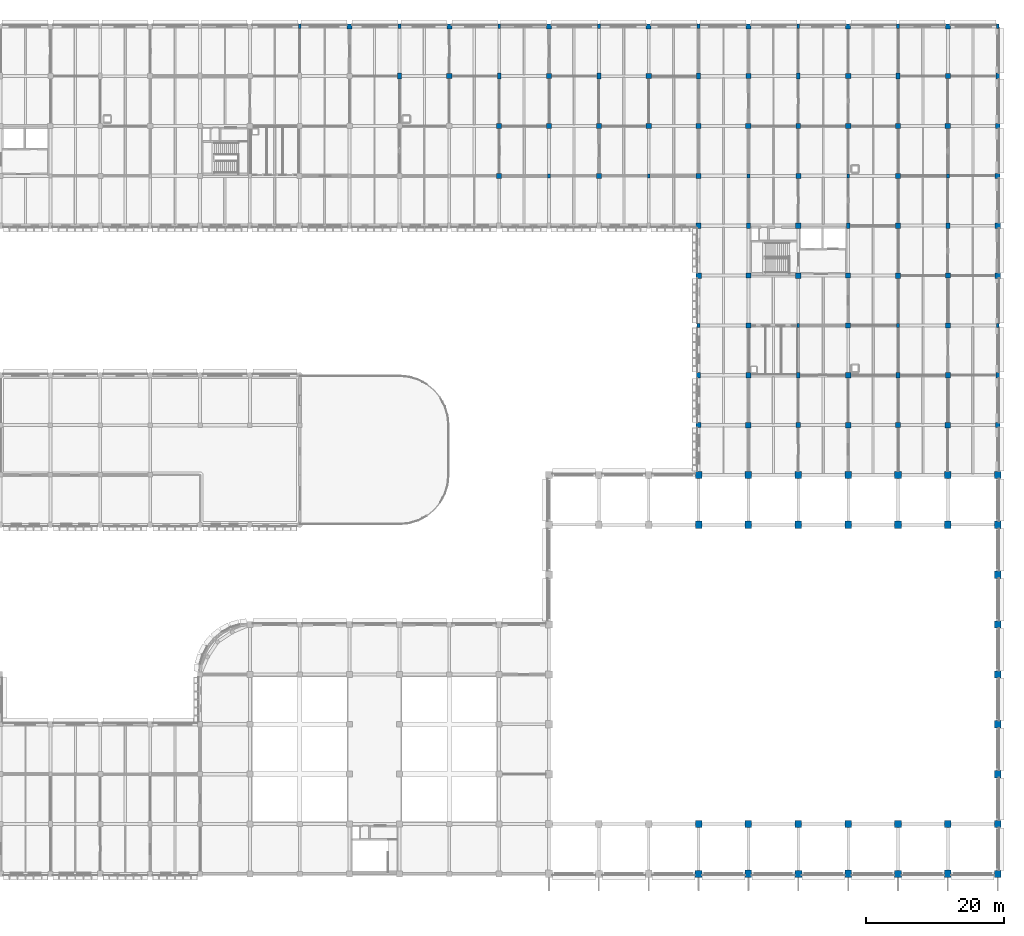
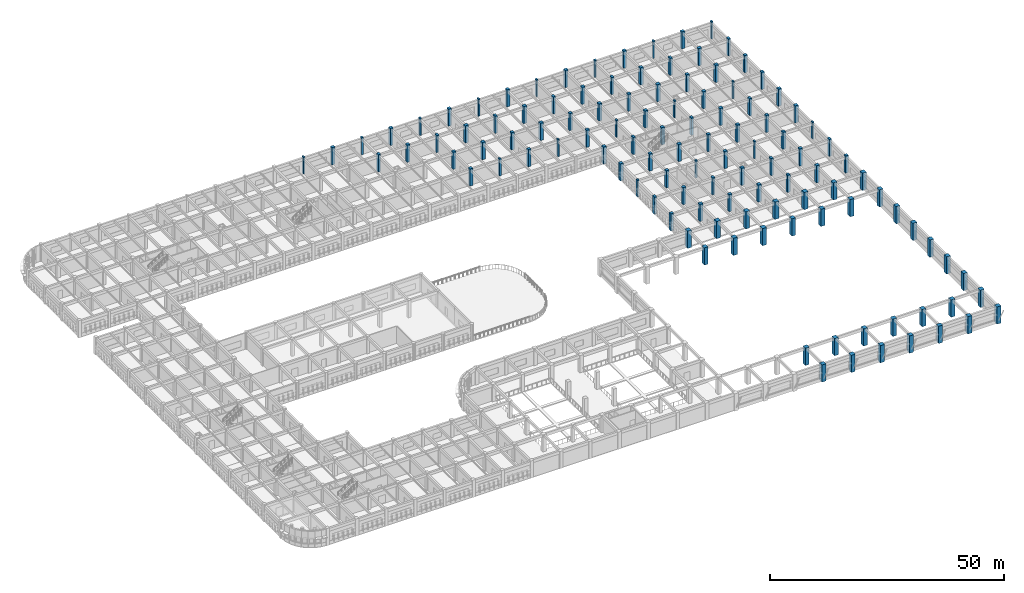
# One storey, part 2 of 61: 118 columns.
"""IFC4 building model written with IfcOpenShell, lengths in metres."""

import ifcopenshell
import ifcopenshell.guid

model = None  # the IFC model being written
_history = None  # IfcOwnerHistory: only IFC2X3 demands one
_inside = {}  # id of a spatial element -> (the spatial element, [elements in it])
_under = {}  # id of a project, library or spatial element -> (it, [spatial elements below it])
_declared = {}  # id of a project -> (the project, [libraries it declares])
_typed = {}  # id of a type object -> (the type object, [elements of that type])
_made_of = {}  # id of a material, layer set ... -> (it, [elements and type objects made of it])


def new_model(schema):
    """Start an empty IFC model of exactly this schema.

    Asked for "IFC4X3", IfcOpenShell would pick the latest addendum, in which some entities
    have other attributes; the version numbers below select the first issue.
    IFC2X3 requires an IfcOwnerHistory on every rooted entity: one is made here for all.
    """
    global model, _history
    if schema == "IFC4X3":
        model = ifcopenshell.file(schema_version=(4, 3, 0, 0))
    else:
        model = ifcopenshell.file(schema=schema)
    _inside.clear()
    _under.clear()
    _declared.clear()
    _typed.clear()
    _made_of.clear()
    _history = None
    if model.schema == "IFC2X3":
        org = make("IfcOrganization", Name="unknown")
        user = make(
            "IfcPersonAndOrganization",
            ThePerson=make("IfcPerson", FamilyName="unknown"),
            TheOrganization=org,
        )
        app = make(
            "IfcApplication",
            ApplicationDeveloper=org,
            Version="unknown",
            ApplicationFullName="unknown",
            ApplicationIdentifier="unknown",
        )
        _history = make(
            "IfcOwnerHistory",
            OwningUser=user,
            OwningApplication=app,
            ChangeAction="ADDED",
            CreationDate=0,
        )
    return model


def make(cls, **values):
    """One entity of the class cls with the attributes given. An attribute that is None is left unset."""
    return model.create_entity(
        cls, **{name: value for name, value in values.items() if value is not None}
    )


def rooted(cls, **values):
    """An entity with a GlobalId (a new one), such as an element, a storey or a relation."""
    return make(cls, GlobalId=ifcopenshell.guid.new(), OwnerHistory=_history, **values)


def si_unit(unit_type, name, prefix=None):
    """IfcSIUnit, for example si_unit("LENGTHUNIT", "METRE", prefix="MILLI")."""
    return make("IfcSIUnit", UnitType=unit_type, Prefix=prefix, Name=name)


def assignment(units):
    """IfcUnitAssignment: the units of a project."""
    return None if units is None else make("IfcUnitAssignment", Units=units)


def point(xyz):
    """IfcCartesianPoint."""
    return None if xyz is None else make("IfcCartesianPoint", Coordinates=xyz)


def direction(xyz):
    """IfcDirection."""
    return None if xyz is None else make("IfcDirection", DirectionRatios=xyz)


def frame(location, z_axis=None, x_axis=None):
    """IfcAxis2Placement3D, a coordinate frame: its origin and axes. An axis left out is left unset."""
    return make(
        "IfcAxis2Placement3D",
        Location=point(location),
        Axis=direction(z_axis),
        RefDirection=direction(x_axis),
    )


def frame_2d(location, x_axis=None):
    """IfcAxis2Placement2D, a coordinate frame in the plane: its origin and x axis."""
    return make(
        "IfcAxis2Placement2D", Location=point(location), RefDirection=direction(x_axis)
    )


def origin():
    """The frame at (0, 0, 0) with its axes left unset."""
    return frame((0.0, 0.0, 0.0))


def origin_2d():
    """The frame at (0, 0) in the plane with its x axis left unset."""
    return frame_2d((0.0, 0.0))


def place(relative_to, where):
    """IfcLocalPlacement: puts the frame where relative to a parent placement (None: the world)."""
    return make(
        "IfcLocalPlacement", PlacementRelTo=relative_to, RelativePlacement=where
    )


def context(
    kind, dimensions, precision=None, world=None, true_north=None, identifier=None
):
    """IfcGeometricRepresentationContext, for example the 3D "Model" context."""
    return make(
        "IfcGeometricRepresentationContext",
        ContextIdentifier=identifier,
        ContextType=kind,
        CoordinateSpaceDimension=dimensions,
        Precision=precision,
        WorldCoordinateSystem=world,
        TrueNorth=true_north,
    )


def subcontext(parent, identifier, kind, view, scale=None):
    """IfcGeometricRepresentationSubContext, for example "Body" below "Model"."""
    return make(
        "IfcGeometricRepresentationSubContext",
        ContextIdentifier=identifier,
        ContextType=kind,
        ParentContext=parent,
        TargetScale=scale,
        TargetView=view,
    )


def project(units=None, contexts=None):
    """IfcProject with its units and contexts."""
    return rooted(
        "IfcProject",
        Name="project",
        RepresentationContexts=contexts,
        UnitsInContext=assignment(units),
    )


def spatial(cls, under=None, at=None, **own):
    """A site, building, storey or space (cls), placed at a placement, below another one or the project."""
    s = rooted(cls, ObjectPlacement=at, **own)
    if under is not None:
        _under.setdefault(under.id(), (under, []))[1].append(s)
    return s


def profile(cls, at=None, kind="AREA", **sizes):
    """A parametric profile (cls). Its sizes go by their IFC names, for example OverallWidth=200.0."""
    return make(cls, ProfileType=kind, Position=at, **sizes)


def rectangle(**sizes):
    """IfcRectangleProfileDef."""
    return profile("IfcRectangleProfileDef", **sizes)


def extrude(swept, where, along, depth):
    """IfcExtrudedAreaSolid: the profile swept, set in the frame where, extruded along a direction by depth."""
    return make(
        "IfcExtrudedAreaSolid",
        SweptArea=swept,
        Position=where,
        ExtrudedDirection=direction(along),
        Depth=depth,
    )


def shape(context_of_items, identifier, shape_type, items):
    """IfcShapeRepresentation: the items that make up one representation, for example the "Body"."""
    return make(
        "IfcShapeRepresentation",
        ContextOfItems=context_of_items,
        RepresentationIdentifier=identifier,
        RepresentationType=shape_type,
        Items=items,
    )


def material(Name=None, Category=None):
    """IfcMaterial."""
    return make("IfcMaterial", Name=Name, Category=Category)


def material_profile(
    of_material, cross_section, Name=None, Category=None, Priority=None
):
    """IfcMaterialProfile: a cross section and its material."""
    return make(
        "IfcMaterialProfile",
        Name=Name,
        Material=of_material,
        Profile=cross_section,
        Priority=Priority,
        Category=Category,
    )


def profile_set(profiles, Name=None, composite=None):
    """IfcMaterialProfileSet."""
    return make(
        "IfcMaterialProfileSet",
        Name=Name,
        MaterialProfiles=profiles,
        CompositeProfile=composite,
    )


def made_of(thing, what):
    """Note that an element or type object is made of a material, layer set ...; save() writes the relation."""
    if what is not None:
        _made_of.setdefault(what.id(), (what, []))[1].append(thing)
    return thing


def type_object(cls, material=None, **own):
    """A type object (cls), such as IfcWallType, which elements share."""
    return made_of(rooted(cls, **own), material)


def element(
    cls,
    number,
    at=None,
    inside=None,
    cuts=None,
    type_object=None,
    material=None,
    context=None,
    identifier="Body",
    shape_type=None,
    held_by="IfcProductDefinitionShape",
    body=None,
    shapes=None,
    **own,
):
    """One element of the class cls, such as IfcWall. Its Tag is "e" and its number.

    at: its placement. inside: the storey or other place that contains it. cuts: it is an
    opening in that element (IfcRelVoidsElement). A single representation is given by context,
    identifier, shape_type and body (its items); several are given by shapes. held_by: the class
    of the entity that holds the representations. save() writes the other relations.
    """
    e = rooted(cls, Tag="e%d" % number, ObjectPlacement=at, **own)
    if body is not None:
        shapes = [shape(context, identifier, shape_type, body)]
    if shapes is not None:
        e.Representation = make(held_by, Representations=shapes)
    if inside is not None:
        _inside.setdefault(inside.id(), (inside, []))[1].append(e)
    if cuts is not None:
        rooted(
            "IfcRelVoidsElement", RelatingBuildingElement=cuts, RelatedOpeningElement=e
        )
    if type_object is not None:
        _typed.setdefault(type_object.id(), (type_object, []))[1].append(e)
    return made_of(e, material)


def aggregate(whole, parts):
    """IfcRelAggregates: a whole, such as a stair, and the parts it consists of."""
    return rooted("IfcRelAggregates", RelatingObject=whole, RelatedObjects=parts)


def save(model, path):
    """Write the relations noted so far, then the file.

    IfcRelAggregates (storeys below a building ...), IfcRelContainedInSpatialStructure (elements
    in a storey), IfcRelDefinesByType, IfcRelAssociatesMaterial and IfcRelDeclares: one each for
    every whole, place, type object, material and project.
    """
    for whole, parts in _under.values():
        aggregate(whole, parts)
    for where, things in _inside.values():
        rooted(
            "IfcRelContainedInSpatialStructure",
            RelatedElements=things,
            RelatingStructure=where,
        )
    for kind, things in _typed.values():
        rooted("IfcRelDefinesByType", RelatedObjects=things, RelatingType=kind)
    for what, things in _made_of.values():
        rooted("IfcRelAssociatesMaterial", RelatedObjects=things, RelatingMaterial=what)
    for by, libraries in _declared.values():
        rooted("IfcRelDeclares", RelatingContext=by, RelatedDefinitions=libraries)
    model.write(path)


model = new_model("IFC4")

# Units and contexts
model_context = context("Model", 3, precision=1e-05, world=origin(), true_north=direction((0.0, 1.0)))
body_context = subcontext(model_context, "Body", "Model", "MODEL_VIEW")
ifc_project = project(units=[si_unit("LENGTHUNIT", "METRE"), si_unit("AREAUNIT", "SQUARE_METRE"), si_unit("VOLUMEUNIT", "CUBIC_METRE"), si_unit("PLANEANGLEUNIT", "RADIAN"), si_unit("MASSUNIT", "GRAM", prefix="KILO")], contexts=[model_context])

# Site, building, storey
site_placement = place(None, origin())
site = spatial("IfcSite", under=ifc_project, at=site_placement, CompositionType="ELEMENT")
building_placement = place(site_placement, origin())
building = spatial("IfcBuilding", under=site, at=building_placement, Name="Thalmaran Polytechnic", CompositionType="ELEMENT")
storey_placement = place(building_placement, frame((0.0, 0.0, 9.89990234375)))
storey = spatial("IfcBuildingStorey", under=building, at=storey_placement, Name="L02", CompositionType="ELEMENT", Elevation=9.89990234375)

# Columns
ifc_material_1 = material(Name="Concrete C50/60", Category="concrete")
ifc_material_profile_1 = material_profile(ifc_material_1, rectangle(XDim=0.75, YDim=0.75, at=origin_2d()), Name="RC 750x750")
ifc_profile_set_1 = profile_set([ifc_material_profile_1], Name="Concrete C50/60")
column_type_1 = type_object("IfcColumnType", Name="COL-C04", PredefinedType="COLUMN", material=ifc_profile_set_1)
for number, where, z_axis, x_axis, name in (
    (1, (93.60009765625, 115.199951171875, 0.0), (0.0, 0.0, 1.0), (1.0, 0.0, 0.0), "Column C04 L02 (13,16)"),
    (2, (108.0, 115.199951171875, 0.0), (0.0, 0.0, 1.0), (1.0, 0.0, 0.0), "Column C04 L02 (15,16)"),
    (3, (122.39990234375, 115.199951171875, 0.0), (0.0, 0.0, 1.0), (1.0, 0.0, 0.0), "Column C04 L02 (17,16)"),
    (4, (129.60009765625, 93.60009765625, 0.0), (0.0, 0.0, 1.0), (1.0, 0.0, 0.0), "Column C04 L02 (18,13)"),
    (5, (136.800048828125, 72.0, 0.0), (0.0, 0.0, 1.0), (1.0, 0.0, 0.0), "Column C04 L02 (19,10)"),
    (6, (136.800048828125, 115.199951171875, 0.0), (0.0, 0.0, 1.0), (1.0, 0.0, 0.0), "Column C04 L02 (19,16)"),
    (7, (144.0, 93.60009765625, 0.0), (0.0, 0.0, 1.0), (1.0, 0.0, 0.0), "Column C04 L02 (20,13)"),
    (8, (151.199951171875, 72.0, 0.0), (0.0, 0.0, 1.0), (1.0, 0.0, 0.0), "Column C04 L02 (21,10)"),
    (9, (151.199951171875, 115.199951171875, 0.0), (0.0, 0.0, 1.0), (1.0, 0.0, 0.0), "Column C04 L02 (21,16)"),
    (10, (158.39990234375, 93.60009765625, 0.0), (0.0, 0.0, 1.0), (1.0, 0.0, 0.0), "Column C04 L02 (22,13)"),
    (11, (165.60009765625, 72.0, 0.0), (0.0, 0.0, 1.0), (1.0, 0.0, 0.0), "Column C04 L02 (23,10)"),
    (12, (165.60009765625, 115.199951171875, 0.0), (0.0, 0.0, 1.0), (1.0, 0.0, 0.0), "Column C04 L02 (23,16)"),
    (13, (172.800048828125, 93.60009765625, 0.0), (0.0, 0.0, 1.0), (1.0, 0.0, 0.0), "Column C04 L02 (24,13)"),
):
    element("IfcColumn", number, at=place(storey_placement, frame(where, z_axis=z_axis, x_axis=x_axis)), inside=storey, type_object=column_type_1, Name=name, PredefinedType="COLUMN", context=body_context, shape_type="SweptSolid", body=[
        extrude(rectangle(XDim=0.75, YDim=0.75, at=origin_2d()), origin(), (0.0, 0.0, 1.0), 4.5),
    ])
ifc_material_profile_2 = material_profile(ifc_material_1, rectangle(XDim=0.699951171875, YDim=0.699951171875, at=origin_2d()), Name="RC 700x700")
ifc_profile_set_2 = profile_set([ifc_material_profile_2], Name="Concrete C50/60")
column_type_2 = type_object("IfcColumnType", Name="COL-C05", PredefinedType="COLUMN", material=ifc_profile_set_2)
for number, where, z_axis, x_axis, name in (
    (14, (100.800048828125, 108.0, 0.0), (0.0, 0.0, 1.0), (1.0, 0.0, 0.0), "Column C05 L02 (14,15)"),
    (15, (115.199951171875, 108.0, 0.0), (0.0, 0.0, 1.0), (1.0, 0.0, 0.0), "Column C05 L02 (16,15)"),
    (16, (129.60009765625, 64.800048828125, 0.0), (0.0, 0.0, 1.0), (1.0, 0.0, 0.0), "Column C05 L02 (18,9)"),
    (17, (129.60009765625, 108.0, 0.0), (0.0, 0.0, 1.0), (1.0, 0.0, 0.0), "Column C05 L02 (18,15)"),
    (18, (136.800048828125, 86.39990234375, 0.0), (0.0, 0.0, 1.0), (1.0, 0.0, 0.0), "Column C05 L02 (19,12)"),
    (19, (144.0, 64.800048828125, 0.0), (0.0, 0.0, 1.0), (1.0, 0.0, 0.0), "Column C05 L02 (20,9)"),
    (20, (144.0, 108.0, 0.0), (0.0, 0.0, 1.0), (1.0, 0.0, 0.0), "Column C05 L02 (20,15)"),
    (21, (151.199951171875, 86.39990234375, 0.0), (0.0, 0.0, 1.0), (1.0, 0.0, 0.0), "Column C05 L02 (21,12)"),
    (22, (158.39990234375, 64.800048828125, 0.0), (0.0, 0.0, 1.0), (1.0, 0.0, 0.0), "Column C05 L02 (22,9)"),
    (23, (158.39990234375, 108.0, 0.0), (0.0, 0.0, 1.0), (1.0, 0.0, 0.0), "Column C05 L02 (22,15)"),
    (24, (165.60009765625, 86.39990234375, 0.0), (0.0, 0.0, 1.0), (1.0, 0.0, 0.0), "Column C05 L02 (23,12)"),
    (25, (172.800048828125, 64.800048828125, 0.0), (0.0, 0.0, 1.0), (1.0, 0.0, 0.0), "Column C05 L02 (24,9)"),
    (26, (172.800048828125, 108.0, 0.0), (0.0, 0.0, 1.0), (1.0, 0.0, 0.0), "Column C05 L02 (24,15)"),
):
    element("IfcColumn", number, at=place(storey_placement, frame(where, z_axis=z_axis, x_axis=x_axis)), inside=storey, type_object=column_type_2, Name=name, PredefinedType="COLUMN", context=body_context, shape_type="SweptSolid", body=[
        extrude(rectangle(XDim=0.699951171875, YDim=0.699951171875, at=origin_2d()), origin(), (0.0, 0.0, 1.0), 4.5),
    ])
ifc_material_profile_3 = material_profile(ifc_material_1, rectangle(XDim=0.550048828125, YDim=0.85009765625, at=origin_2d()), Name="RC 550x850")
ifc_profile_set_3 = profile_set([ifc_material_profile_3], Name="Concrete C50/60")
column_type_3 = type_object("IfcColumnType", Name="COL-C12", PredefinedType="COLUMN", material=ifc_profile_set_3)
for number, where, z_axis, x_axis, name in (
    (27, (86.39990234375, 115.199951171875, 0.0), (0.0, 0.0, 1.0), (1.0, 0.0, 0.0), "Column C12 L02 (12,16)"),
    (28, (100.800048828125, 115.199951171875, 0.0), (0.0, 0.0, 1.0), (1.0, 0.0, 0.0), "Column C12 L02 (14,16)"),
    (29, (115.199951171875, 115.199951171875, 0.0), (0.0, 0.0, 1.0), (1.0, 0.0, 0.0), "Column C12 L02 (16,16)"),
    (30, (129.60009765625, 72.0, 0.0), (0.0, 0.0, 1.0), (1.0, 0.0, 0.0), "Column C12 L02 (18,10)"),
    (31, (129.60009765625, 115.199951171875, 0.0), (0.0, 0.0, 1.0), (1.0, 0.0, 0.0), "Column C12 L02 (18,16)"),
    (32, (136.800048828125, 93.60009765625, 0.0), (0.0, 0.0, 1.0), (1.0, 0.0, 0.0), "Column C12 L02 (19,13)"),
    (33, (144.0, 72.0, 0.0), (0.0, 0.0, 1.0), (1.0, 0.0, 0.0), "Column C12 L02 (20,10)"),
    (34, (144.0, 115.199951171875, 0.0), (0.0, 0.0, 1.0), (1.0, 0.0, 0.0), "Column C12 L02 (20,16)"),
    (35, (151.199951171875, 93.60009765625, 0.0), (0.0, 0.0, 1.0), (1.0, 0.0, 0.0), "Column C12 L02 (21,13)"),
    (36, (158.39990234375, 72.0, 0.0), (0.0, 0.0, 1.0), (1.0, 0.0, 0.0), "Column C12 L02 (22,10)"),
    (37, (158.39990234375, 115.199951171875, 0.0), (0.0, 0.0, 1.0), (1.0, 0.0, 0.0), "Column C12 L02 (22,16)"),
    (38, (165.60009765625, 93.60009765625, 0.0), (0.0, 0.0, 1.0), (1.0, 0.0, 0.0), "Column C12 L02 (23,13)"),
    (39, (172.800048828125, 72.0, 0.0), (0.0, 0.0, 1.0), (1.0, 0.0, 0.0), "Column C12 L02 (24,10)"),
    (40, (172.800048828125, 115.199951171875, 0.0), (0.0, 0.0, 1.0), (1.0, 0.0, 0.0), "Column C12 L02 (24,16)"),
):
    element("IfcColumn", number, at=place(storey_placement, frame(where, z_axis=z_axis, x_axis=x_axis)), inside=storey, type_object=column_type_3, Name=name, PredefinedType="COLUMN", context=body_context, shape_type="SweptSolid", body=[
        extrude(rectangle(XDim=0.550048828125, YDim=0.85009765625, at=origin_2d()), origin(), (0.0, 0.0, 1.0), 4.5),
    ])
ifc_material_2 = material(Name="Concrete C40/50", Category="concrete")
ifc_material_profile_4 = material_profile(ifc_material_2, rectangle(XDim=0.39990234375, YDim=0.60009765625, at=origin_2d()), Name="RC 400x600")
ifc_profile_set_4 = profile_set([ifc_material_profile_4], Name="Concrete C40/50")
column_type_4 = type_object("IfcColumnType", Name="COL-PL2", PredefinedType="PILASTER", material=ifc_profile_set_4)
for number, where, z_axis, x_axis, name in (
    (41, (72.0, 122.39990234375, 0.0), (0.0, 0.0, 1.0), (1.0, 0.0, 0.0), "Column PL2 L02 (10,17)"),
    (42, (86.39990234375, 122.39990234375, 0.0), (0.0, 0.0, 1.0), (1.0, 0.0, 0.0), "Column PL2 L02 (12,17)"),
    (43, (100.800048828125, 122.39990234375, 0.0), (0.0, 0.0, 1.0), (1.0, 0.0, 0.0), "Column PL2 L02 (14,17)"),
    (44, (108.0, 100.800048828125, 0.0), (0.0, 0.0, 1.0), (1.0, 0.0, 0.0), "Column PL2 L02 (15,14)"),
    (45, (115.199951171875, 122.39990234375, 0.0), (0.0, 0.0, 1.0), (1.0, 0.0, 0.0), "Column PL2 L02 (16,17)"),
    (46, (122.39990234375, 100.800048828125, 0.0), (0.0, 0.0, 1.0), (1.0, 0.0, 0.0), "Column PL2 L02 (17,14)"),
    (47, (129.60009765625, 79.199951171875, 0.0), (0.0, 0.0, 1.0), (1.0, 0.0, 0.0), "Column PL2 L02 (18,11)"),
    (48, (129.60009765625, 122.39990234375, 0.0), (0.0, 0.0, 1.0), (1.0, 0.0, 0.0), "Column PL2 L02 (18,17)"),
    (49, (136.800048828125, 100.800048828125, 0.0), (0.0, 0.0, 1.0), (1.0, 0.0, 0.0), "Column PL2 L02 (19,14)"),
    (50, (144.0, 79.199951171875, 0.0), (0.0, 0.0, 1.0), (1.0, 0.0, 0.0), "Column PL2 L02 (20,11)"),
    (51, (144.0, 122.39990234375, 0.0), (0.0, 0.0, 1.0), (1.0, 0.0, 0.0), "Column PL2 L02 (20,17)"),
    (52, (151.199951171875, 100.800048828125, 0.0), (0.0, 0.0, 1.0), (1.0, 0.0, 0.0), "Column PL2 L02 (21,14)"),
    (53, (158.39990234375, 79.199951171875, 0.0), (0.0, 0.0, 1.0), (1.0, 0.0, 0.0), "Column PL2 L02 (22,11)"),
    (54, (158.39990234375, 122.39990234375, 0.0), (0.0, 0.0, 1.0), (1.0, 0.0, 0.0), "Column PL2 L02 (22,17)"),
    (55, (165.60009765625, 100.800048828125, 0.0), (0.0, 0.0, 1.0), (1.0, 0.0, 0.0), "Column PL2 L02 (23,14)"),
    (56, (172.800048828125, 79.199951171875, 0.0), (0.0, 0.0, 1.0), (1.0, 0.0, 0.0), "Column PL2 L02 (24,11)"),
    (57, (172.800048828125, 122.39990234375, 0.0), (0.0, 0.0, 1.0), (1.0, 0.0, 0.0), "Column PL2 L02 (24,17)"),
):
    element("IfcColumn", number, at=place(storey_placement, frame(where, z_axis=z_axis, x_axis=x_axis)), inside=storey, type_object=column_type_4, Name=name, PredefinedType="PILASTER", context=body_context, shape_type="SweptSolid", body=[
        extrude(rectangle(XDim=0.39990234375, YDim=0.60009765625, at=origin_2d()), origin(), (0.0, 0.0, 1.0), 4.5),
    ])
ifc_material_profile_5 = material_profile(ifc_material_1, rectangle(XDim=1.0, YDim=1.0, at=origin_2d()), Name="RC 1000x1000")
ifc_profile_set_5 = profile_set([ifc_material_profile_5], Name="Concrete C50/60")
column_type_5 = type_object("IfcColumnType", Name="COL-WP1", PredefinedType="COLUMN", material=ifc_profile_set_5)
for number, where, z_axis, x_axis, name in (
    (58, (129.60009765625, 0.0, 0.0), (0.0, 0.0, 1.0), (1.0, 0.0, 0.0), "Column WP1 L02 (18,0)"),
    (59, (144.0, 0.0, 0.0), (0.0, 0.0, 1.0), (1.0, 0.0, 0.0), "Column WP1 L02 (20,0)"),
    (60, (158.39990234375, 0.0, 0.0), (0.0, 0.0, 1.0), (1.0, 0.0, 0.0), "Column WP1 L02 (22,0)"),
    (61, (172.800048828125, 0.0, 0.0), (0.0, 0.0, 1.0), (1.0, 0.0, 0.0), "Column WP1 L02 (24,0)"),
):
    element("IfcColumn", number, at=place(storey_placement, frame(where, z_axis=z_axis, x_axis=x_axis)), inside=storey, type_object=column_type_5, Name=name, PredefinedType="COLUMN", context=body_context, shape_type="SweptSolid", body=[
        extrude(rectangle(XDim=1.0, YDim=1.0, at=origin_2d()), origin(), (0.0, 0.0, 1.0), 4.5),
    ])
ifc_material_profile_6 = material_profile(ifc_material_1, rectangle(XDim=0.949951171875, YDim=1.050048828125, at=origin_2d()), Name="RC 950x1050")
ifc_profile_set_6 = profile_set([ifc_material_profile_6], Name="Concrete C50/60")
column_type_6 = type_object("IfcColumnType", Name="COL-WP2", PredefinedType="COLUMN", material=ifc_profile_set_6)
for number, where, z_axis, x_axis, name in (
    (62, (129.60009765625, 7.199951171875, 0.0), (0.0, 0.0, 1.0), (1.0, 0.0, 0.0), "Column WP2 L02 (18,1)"),
    (63, (129.60009765625, 50.39990234375, 0.0), (0.0, 0.0, 1.0), (1.0, 0.0, 0.0), "Column WP2 L02 (18,7)"),
    (64, (129.60009765625, 57.60009765625, 0.0), (0.0, 0.0, 1.0), (1.0, 0.0, 0.0), "Column WP2 L02 (18,8)"),
    (65, (136.800048828125, 0.0, 0.0), (0.0, 0.0, 1.0), (1.0, 0.0, 0.0), "Column WP2 L02 (19,0)"),
    (66, (136.800048828125, 7.199951171875, 0.0), (0.0, 0.0, 1.0), (1.0, 0.0, 0.0), "Column WP2 L02 (19,1)"),
    (67, (136.800048828125, 50.39990234375, 0.0), (0.0, 0.0, 1.0), (1.0, 0.0, 0.0), "Column WP2 L02 (19,7)"),
    (68, (136.800048828125, 57.60009765625, 0.0), (0.0, 0.0, 1.0), (1.0, 0.0, 0.0), "Column WP2 L02 (19,8)"),
    (69, (144.0, 7.199951171875, 0.0), (0.0, 0.0, 1.0), (1.0, 0.0, 0.0), "Column WP2 L02 (20,1)"),
    (70, (144.0, 50.39990234375, 0.0), (0.0, 0.0, 1.0), (1.0, 0.0, 0.0), "Column WP2 L02 (20,7)"),
    (71, (144.0, 57.60009765625, 0.0), (0.0, 0.0, 1.0), (1.0, 0.0, 0.0), "Column WP2 L02 (20,8)"),
    (72, (151.199951171875, 0.0, 0.0), (0.0, 0.0, 1.0), (1.0, 0.0, 0.0), "Column WP2 L02 (21,0)"),
    (73, (151.199951171875, 7.199951171875, 0.0), (0.0, 0.0, 1.0), (1.0, 0.0, 0.0), "Column WP2 L02 (21,1)"),
    (74, (151.199951171875, 50.39990234375, 0.0), (0.0, 0.0, 1.0), (1.0, 0.0, 0.0), "Column WP2 L02 (21,7)"),
    (75, (151.199951171875, 57.60009765625, 0.0), (0.0, 0.0, 1.0), (1.0, 0.0, 0.0), "Column WP2 L02 (21,8)"),
    (76, (158.39990234375, 7.199951171875, 0.0), (0.0, 0.0, 1.0), (1.0, 0.0, 0.0), "Column WP2 L02 (22,1)"),
    (77, (158.39990234375, 50.39990234375, 0.0), (0.0, 0.0, 1.0), (1.0, 0.0, 0.0), "Column WP2 L02 (22,7)"),
    (78, (158.39990234375, 57.60009765625, 0.0), (0.0, 0.0, 1.0), (1.0, 0.0, 0.0), "Column WP2 L02 (22,8)"),
    (79, (165.60009765625, 0.0, 0.0), (0.0, 0.0, 1.0), (1.0, 0.0, 0.0), "Column WP2 L02 (23,0)"),
    (80, (165.60009765625, 7.199951171875, 0.0), (0.0, 0.0, 1.0), (1.0, 0.0, 0.0), "Column WP2 L02 (23,1)"),
    (81, (165.60009765625, 50.39990234375, 0.0), (0.0, 0.0, 1.0), (1.0, 0.0, 0.0), "Column WP2 L02 (23,7)"),
    (82, (165.60009765625, 57.60009765625, 0.0), (0.0, 0.0, 1.0), (1.0, 0.0, 0.0), "Column WP2 L02 (23,8)"),
    (83, (172.800048828125, 7.199951171875, 0.0), (0.0, 0.0, 1.0), (1.0, 0.0, 0.0), "Column WP2 L02 (24,1)"),
    (84, (172.800048828125, 14.39990234375, 0.0), (0.0, 0.0, 1.0), (1.0, 0.0, 0.0), "Column WP2 L02 (24,2)"),
    (85, (172.800048828125, 21.60009765625, 0.0), (0.0, 0.0, 1.0), (1.0, 0.0, 0.0), "Column WP2 L02 (24,3)"),
    (86, (172.800048828125, 28.800048828125, 0.0), (0.0, 0.0, 1.0), (1.0, 0.0, 0.0), "Column WP2 L02 (24,4)"),
    (87, (172.800048828125, 36.0, 0.0), (0.0, 0.0, 1.0), (1.0, 0.0, 0.0), "Column WP2 L02 (24,5)"),
    (88, (172.800048828125, 43.199951171875, 0.0), (0.0, 0.0, 1.0), (1.0, 0.0, 0.0), "Column WP2 L02 (24,6)"),
    (89, (172.800048828125, 50.39990234375, 0.0), (0.0, 0.0, 1.0), (1.0, 0.0, 0.0), "Column WP2 L02 (24,7)"),
    (90, (172.800048828125, 57.60009765625, 0.0), (0.0, 0.0, 1.0), (1.0, 0.0, 0.0), "Column WP2 L02 (24,8)"),
):
    element("IfcColumn", number, at=place(storey_placement, frame(where, z_axis=z_axis, x_axis=x_axis)), inside=storey, type_object=column_type_6, Name=name, PredefinedType="COLUMN", context=body_context, shape_type="SweptSolid", body=[
        extrude(rectangle(XDim=0.949951171875, YDim=1.050048828125, at=origin_2d()), origin(), (0.0, 0.0, 1.0), 4.5),
    ])
ifc_material_profile_7 = material_profile(ifc_material_1, rectangle(XDim=0.780029296875, YDim=0.780029296875, at=origin_2d()), Name="RC 780x780")
ifc_profile_set_7 = profile_set([ifc_material_profile_7], Name="Concrete C50/60")
column_type_7 = type_object("IfcColumnType", Name="COL-ZC03", PredefinedType="COLUMN", material=ifc_profile_set_7)
for number, where, z_axis, x_axis, name in (
    (91, (108.0, 108.0, 0.0), (0.0, 0.0, 1.0), (1.0, 0.0, 0.0), "Column ZC03 L02 (15,15)"),
    (92, (122.39990234375, 108.0, 0.0), (0.0, 0.0, 1.0), (1.0, 0.0, 0.0), "Column ZC03 L02 (17,15)"),
    (93, (129.60009765625, 86.39990234375, 0.0), (0.0, 0.0, 1.0), (1.0, 0.0, 0.0), "Column ZC03 L02 (18,12)"),
    (94, (136.800048828125, 64.800048828125, 0.0), (0.0, 0.0, 1.0), (1.0, 0.0, 0.0), "Column ZC03 L02 (19,9)"),
    (95, (136.800048828125, 108.0, 0.0), (0.0, 0.0, 1.0), (1.0, 0.0, 0.0), "Column ZC03 L02 (19,15)"),
    (96, (144.0, 86.39990234375, 0.0), (0.0, 0.0, 1.0), (1.0, 0.0, 0.0), "Column ZC03 L02 (20,12)"),
    (97, (151.199951171875, 64.800048828125, 0.0), (0.0, 0.0, 1.0), (1.0, 0.0, 0.0), "Column ZC03 L02 (21,9)"),
    (98, (151.199951171875, 108.0, 0.0), (0.0, 0.0, 1.0), (1.0, 0.0, 0.0), "Column ZC03 L02 (21,15)"),
    (99, (158.39990234375, 86.39990234375, 0.0), (0.0, 0.0, 1.0), (1.0, 0.0, 0.0), "Column ZC03 L02 (22,12)"),
    (100, (165.60009765625, 64.800048828125, 0.0), (0.0, 0.0, 1.0), (1.0, 0.0, 0.0), "Column ZC03 L02 (23,9)"),
    (101, (165.60009765625, 108.0, 0.0), (0.0, 0.0, 1.0), (1.0, 0.0, 0.0), "Column ZC03 L02 (23,15)"),
    (102, (172.800048828125, 86.39990234375, 0.0), (0.0, 0.0, 1.0), (1.0, 0.0, 0.0), "Column ZC03 L02 (24,12)"),
):
    element("IfcColumn", number, at=place(storey_placement, frame(where, z_axis=z_axis, x_axis=x_axis)), inside=storey, type_object=column_type_7, Name=name, PredefinedType="COLUMN", context=body_context, shape_type="SweptSolid", body=[
        extrude(rectangle(XDim=0.780029296875, YDim=0.780029296875, at=origin_2d()), origin(), (0.0, 0.0, 1.0), 4.5),
    ])
ifc_material_profile_8 = material_profile(ifc_material_1, rectangle(XDim=0.719970703125, YDim=0.719970703125, at=origin_2d()), Name="RC 720x720")
ifc_profile_set_8 = profile_set([ifc_material_profile_8], Name="Concrete C50/60")
column_type_8 = type_object("IfcColumnType", Name="COL-ZC04", PredefinedType="COLUMN", material=ifc_profile_set_8)
for number, where, z_axis, x_axis, name in (
    (103, (79.199951171875, 122.39990234375, 0.0), (0.0, 0.0, 1.0), (1.0, 0.0, 0.0), "Column ZC04 L02 (11,17)"),
    (104, (93.60009765625, 122.39990234375, 0.0), (0.0, 0.0, 1.0), (1.0, 0.0, 0.0), "Column ZC04 L02 (13,17)"),
    (105, (100.800048828125, 100.800048828125, 0.0), (0.0, 0.0, 1.0), (1.0, 0.0, 0.0), "Column ZC04 L02 (14,14)"),
    (106, (108.0, 122.39990234375, 0.0), (0.0, 0.0, 1.0), (1.0, 0.0, 0.0), "Column ZC04 L02 (15,17)"),
    (107, (115.199951171875, 100.800048828125, 0.0), (0.0, 0.0, 1.0), (1.0, 0.0, 0.0), "Column ZC04 L02 (16,14)"),
    (108, (122.39990234375, 122.39990234375, 0.0), (0.0, 0.0, 1.0), (1.0, 0.0, 0.0), "Column ZC04 L02 (17,17)"),
    (109, (129.60009765625, 100.800048828125, 0.0), (0.0, 0.0, 1.0), (1.0, 0.0, 0.0), "Column ZC04 L02 (18,14)"),
    (110, (136.800048828125, 79.199951171875, 0.0), (0.0, 0.0, 1.0), (1.0, 0.0, 0.0), "Column ZC04 L02 (19,11)"),
    (111, (136.800048828125, 122.39990234375, 0.0), (0.0, 0.0, 1.0), (1.0, 0.0, 0.0), "Column ZC04 L02 (19,17)"),
    (112, (144.0, 100.800048828125, 0.0), (0.0, 0.0, 1.0), (1.0, 0.0, 0.0), "Column ZC04 L02 (20,14)"),
    (113, (151.199951171875, 79.199951171875, 0.0), (0.0, 0.0, 1.0), (1.0, 0.0, 0.0), "Column ZC04 L02 (21,11)"),
    (114, (151.199951171875, 122.39990234375, 0.0), (0.0, 0.0, 1.0), (1.0, 0.0, 0.0), "Column ZC04 L02 (21,17)"),
    (115, (158.39990234375, 100.800048828125, 0.0), (0.0, 0.0, 1.0), (1.0, 0.0, 0.0), "Column ZC04 L02 (22,14)"),
    (116, (165.60009765625, 79.199951171875, 0.0), (0.0, 0.0, 1.0), (1.0, 0.0, 0.0), "Column ZC04 L02 (23,11)"),
    (117, (165.60009765625, 122.39990234375, 0.0), (0.0, 0.0, 1.0), (1.0, 0.0, 0.0), "Column ZC04 L02 (23,17)"),
    (118, (172.800048828125, 100.800048828125, 0.0), (0.0, 0.0, 1.0), (1.0, 0.0, 0.0), "Column ZC04 L02 (24,14)"),
):
    element("IfcColumn", number, at=place(storey_placement, frame(where, z_axis=z_axis, x_axis=x_axis)), inside=storey, type_object=column_type_8, Name=name, PredefinedType="COLUMN", context=body_context, shape_type="SweptSolid", body=[
        extrude(rectangle(XDim=0.719970703125, YDim=0.719970703125, at=origin_2d()), origin(), (0.0, 0.0, 1.0), 4.5),
    ])

save(model, "model.ifc")
